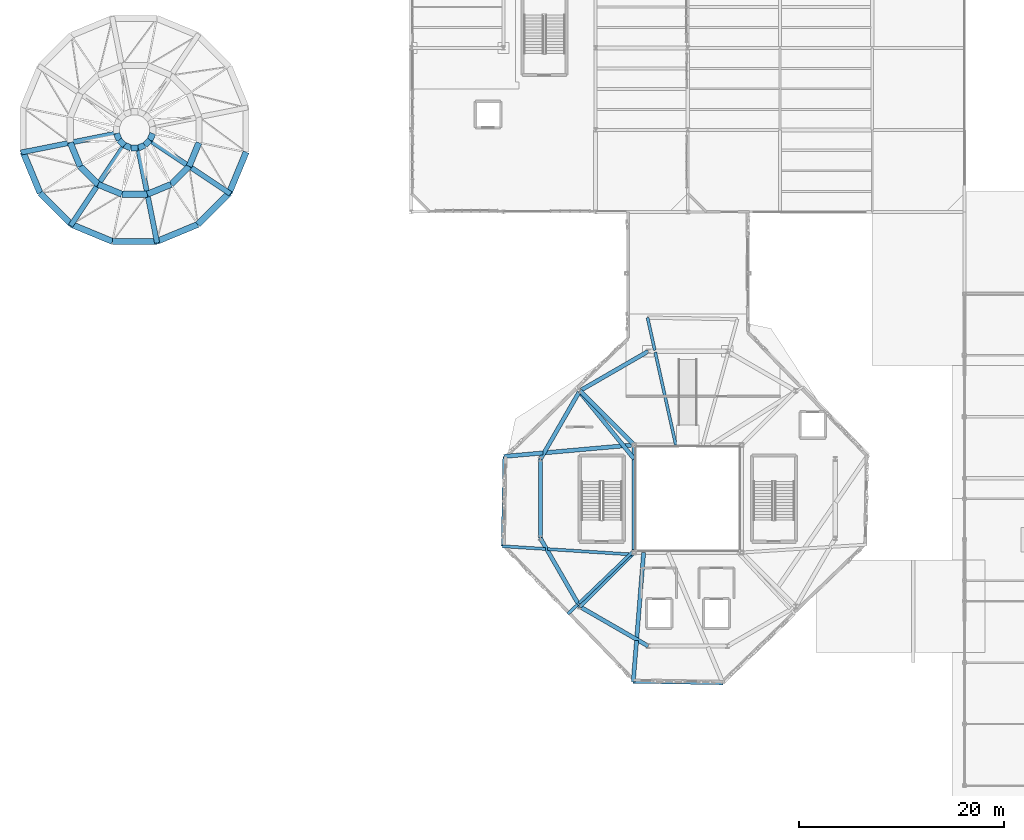
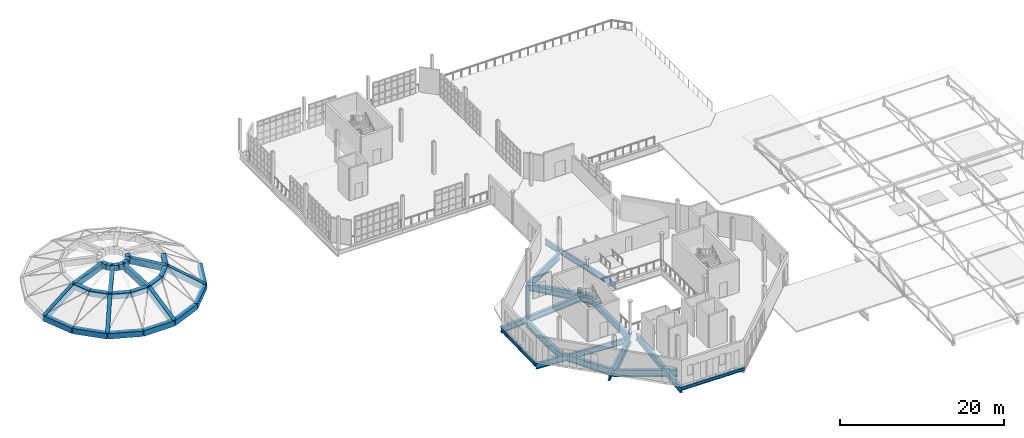
# One storey, part 6 of 85: 50 beams.
"""IFC4 building model written with IfcOpenShell, lengths in metres."""

from ifc_helpers import new_model, si_unit, direction, frame, origin, origin_2d, place, context, subcontext, project, spatial, rectangle, i_section, extrude, material, material_profile, profile_set, type_object, element, save


model = new_model("IFC4")

# Units and contexts
model_context = context("Model", 3, precision=1e-05, world=origin(), true_north=direction((0.0, 1.0)))
body_context = subcontext(model_context, "Body", "Model", "MODEL_VIEW")
ifc_project = project(units=[si_unit("LENGTHUNIT", "METRE"), si_unit("AREAUNIT", "SQUARE_METRE"), si_unit("VOLUMEUNIT", "CUBIC_METRE"), si_unit("PLANEANGLEUNIT", "RADIAN"), si_unit("MASSUNIT", "GRAM", prefix="KILO"), si_unit("THERMODYNAMICTEMPERATUREUNIT", "KELVIN"), si_unit("POWERUNIT", "WATT")], contexts=[model_context])

# Site, building, storey
site_placement = place(None, origin())
site = spatial("IfcSite", under=ifc_project, at=site_placement, CompositionType="ELEMENT")
building_placement = place(site_placement, origin())
building = spatial("IfcBuilding", under=site, at=building_placement, Name="Zelmaris Science Centre", CompositionType="ELEMENT")
storey_placement = place(building_placement, frame((0.0, 0.0, 20.39990234375)))
storey = spatial("IfcBuildingStorey", under=building, at=storey_placement, Name="L04", CompositionType="ELEMENT", Elevation=20.39990234375)

# Beams
ifc_material_1 = material(Name="Steel ASTM A992 Grade 50", Category="steel")
ifc_material_profile_1 = material_profile(ifc_material_1, i_section(OverallWidth=0.40087890625, OverallDepth=0.85595703125, WebThickness=0.018310546875, FlangeThickness=0.029296875, FilletRadius=0.02001953125, at=origin_2d()), Name="W33X201")
ifc_profile_set_1 = profile_set([ifc_material_profile_1], Name="Steel ASTM A992 Grade 50")
beam_type_1 = type_object("IfcBeamType", Name="Beam G-05 W33X201", PredefinedType="BEAM", material=ifc_profile_set_1)
beam_1_placement = place(storey_placement, frame((75.75, 39.89990234375, -0.7080078125), z_axis=(-0.63069879311, 0.776027726547, 0.0), x_axis=(-0.776027726547, -0.63069879311, 0.0)))
element("IfcBeam", 1, at=beam_1_placement, inside=storey, type_object=beam_type_1, Name="L04 Overhang back-span girder 8", PredefinedType="BEAM", context=body_context, shape_type="SweptSolid", body=[
    extrude(i_section(OverallWidth=0.40087890625, OverallDepth=0.85595703125, WebThickness=0.018310546875, FlangeThickness=0.029296875, FilletRadius=0.02001953125, at=origin_2d()), origin(), (0.0, 0.0, 1.0), 8.483642578125),
])
beam_2_placement = place(storey_placement, frame((76.688232421875, 30.75, -0.7080078125), z_axis=(-0.080042605202, -0.996791443258, 0.0), x_axis=(0.996791443258, -0.080042605202, 0.0)))
element("IfcBeam", 2, at=beam_2_placement, inside=storey, type_object=beam_type_1, Name="L04 Overhang back-span girder 12", PredefinedType="BEAM", context=body_context, shape_type="SweptSolid", body=[
    extrude(i_section(OverallWidth=0.40087890625, OverallDepth=0.85595703125, WebThickness=0.018310546875, FlangeThickness=0.029296875, FilletRadius=0.02001953125, at=origin_2d()), origin(), (0.0, 0.0, 1.0), 8.41845703125),
])
beam_3_placement = place(storey_placement, frame((75.999267578125, 22.169189453125, -0.7080078125), z_axis=(-0.080051426686, -0.996790734851, 0.0), x_axis=(0.996790734851, -0.080051426686, 0.0)))
element("IfcBeam", 3, at=beam_3_placement, inside=storey, type_object=beam_type_1, Name="L04 Radial overhang girder 12", PredefinedType="BEAM", context=body_context, shape_type="SweptSolid", body=[
    extrude(i_section(OverallWidth=0.40087890625, OverallDepth=0.85595703125, WebThickness=0.018310546875, FlangeThickness=0.029296875, FilletRadius=0.02001953125, at=origin_2d()), origin(), (0.0, 0.0, 1.0), 4.05615234375),
])
ifc_material_profile_2 = material_profile(ifc_material_1, i_section(OverallWidth=0.294921875, OverallDepth=0.85107421875, WebThickness=0.01611328125, FlangeThickness=0.02685546875, FilletRadius=0.02001953125, at=origin_2d()), Name="W33X152")
ifc_profile_set_2 = profile_set([ifc_material_profile_2], Name="Steel ASTM A992 Grade 50")
beam_type_2 = type_object("IfcBeamType", Name="Beam G-06 W33X152", PredefinedType="BEAM", material=ifc_profile_set_2)
beam_4_placement = place(storey_placement, frame((75.557861328125, 30.557861328125, -0.705322265625), z_axis=(-0.997991045809, 0.063355129903, 0.0), x_axis=(-0.063355129903, -0.997991045809, 0.0)))
element("IfcBeam", 4, at=beam_4_placement, inside=storey, type_object=beam_type_2, Name="L04 Overhang back-span girder 10", PredefinedType="BEAM", context=body_context, shape_type="SweptSolid", body=[
    extrude(i_section(OverallWidth=0.294921875, OverallDepth=0.85107421875, WebThickness=0.01611328125, FlangeThickness=0.02685546875, FilletRadius=0.02001953125, at=origin_2d()), origin(), (0.0, 0.0, 1.0), 8.261962890625),
])
beam_5_placement = place(storey_placement, frame((67.122802734375, 31.09326171875, -0.705322265625), z_axis=(-0.997990683892, 0.063360830675, 0.0), x_axis=(-0.063360830675, -0.997990683892, 0.0)))
element("IfcBeam", 5, at=beam_5_placement, inside=storey, type_object=beam_type_2, Name="L04 Radial overhang girder 10", PredefinedType="BEAM", context=body_context, shape_type="SweptSolid", body=[
    extrude(i_section(OverallWidth=0.294921875, OverallDepth=0.85107421875, WebThickness=0.01611328125, FlangeThickness=0.02685546875, FilletRadius=0.02001953125, at=origin_2d()), origin(), (0.0, 0.0, 1.0), 4.238525390625),
])
ifc_material_profile_3 = material_profile(ifc_material_1, i_section(OverallWidth=0.40087890625, OverallDepth=1.0009765625, WebThickness=0.01904296875, FlangeThickness=0.0361328125, FilletRadius=0.02490234375, at=origin_2d()), Name="W40X249")
ifc_profile_set_3 = profile_set([ifc_material_profile_3], Name="Steel ASTM A992 Grade 50")
beam_type_3 = type_object("IfcBeamType", Name="Beam G-22 W40X249", PredefinedType="BEAM", material=ifc_profile_set_3)
for number, where, z_axis, x_axis, name in (
    (6, (77.1435546875, 50.392333984375, -0.780517578125), (-0.866021648359, -0.500006504531, 0.0), (0.500006504531, -0.866021648359, 0.0), "L04 Exhibition inner ring girder 4"),
    (7, (70.464111328125, 46.535888671875, -0.780517578125), (-0.500006504531, -0.866021648359, 0.0), (0.866021648359, -0.500006504531, 0.0), "L04 Exhibition inner ring girder 5"),
    (8, (66.607666015625, 39.8564453125, -0.780517578125), (0.0, -1.0, 0.0), (1.0, 0.0, 0.0), "L04 Exhibition inner ring girder 6"),
    (9, (66.607666015625, 32.1435546875, -0.780517578125), (0.500006504531, -0.866021648359, 0.0), (0.866021648359, 0.500006504531, 0.0), "L04 Exhibition inner ring girder 7"),
    (10, (70.464111328125, 25.464111328125, -0.780517578125), (0.866021648359, -0.500006504531, 0.0), (0.500006504531, 0.866021648359, 0.0), "L04 Exhibition inner ring girder 8"),
):
    element("IfcBeam", number, at=place(storey_placement, frame(where, z_axis=z_axis, x_axis=x_axis)), inside=storey, type_object=beam_type_3, Name=name, PredefinedType="BEAM", context=body_context, shape_type="SweptSolid", body=[
        extrude(i_section(OverallWidth=0.40087890625, OverallDepth=1.0009765625, WebThickness=0.01904296875, FlangeThickness=0.0361328125, FilletRadius=0.02490234375, at=origin_2d()), origin(), (0.0, 0.0, 1.0), 7.712890625),
    ])
beam_6_placement = place(storey_placement, frame((75.75, 41.25, -0.780517578125), z_axis=(0.0, -1.0, 0.0), x_axis=(1.0, 0.0, 0.0)))
element("IfcBeam", 11, at=beam_6_placement, inside=storey, type_object=beam_type_3, Name="L04 Atrium framing girder 4", PredefinedType="BEAM", context=body_context, shape_type="SweptSolid", body=[
    extrude(i_section(OverallWidth=0.40087890625, OverallDepth=1.0009765625, WebThickness=0.01904296875, FlangeThickness=0.0361328125, FilletRadius=0.02490234375, at=origin_2d()), origin(), (0.0, 0.0, 1.0), 10.5),
])
for number, where, z_axis, x_axis, name in (
    (12, (75.75, 30.75, -0.780517578125), (-0.707106781187, -0.707106781187, 0.0), (0.707106781187, -0.707106781187, 0.0), "L04 Atrium diagonal header girder 1"),
    (13, (75.75, 41.25, -0.780517578125), (-0.707106781187, 0.707106781187, 0.0), (-0.707106781187, -0.707106781187, 0.0), "L04 Atrium diagonal header girder 4"),
):
    element("IfcBeam", number, at=place(storey_placement, frame(where, z_axis=z_axis, x_axis=x_axis)), inside=storey, type_object=beam_type_3, Name=name, PredefinedType="BEAM", context=body_context, shape_type="SweptSolid", body=[
        extrude(i_section(OverallWidth=0.40087890625, OverallDepth=1.0009765625, WebThickness=0.01904296875, FlangeThickness=0.0361328125, FilletRadius=0.02490234375, at=origin_2d()), origin(), (0.0, 0.0, 1.0), 7.475341796875),
    ])
ifc_material_profile_4 = material_profile(ifc_material_1, i_section(OverallWidth=0.404052734375, OverallDepth=0.861083984375, WebThickness=0.019775390625, FlangeThickness=0.032470703125, FilletRadius=0.02001953125, at=origin_2d()), Name="W33X221")
ifc_profile_set_4 = profile_set([ifc_material_profile_4], Name="Steel ASTM A992 Grade 50")
beam_type_4 = type_object("IfcBeamType", Name="Beam G-28 W33X221", PredefinedType="BEAM", material=ifc_profile_set_4)
beam_7_placement = place(storey_placement, frame((75.748779296875, 41.251220703125, -0.71044921875), z_axis=(-0.996118743316, -0.088019595632, 0.0), x_axis=(0.088019595632, -0.996118743316, 0.0)))
element("IfcBeam", 14, at=beam_7_placement, inside=storey, type_object=beam_type_4, Name="L04 Overhang back-span girder 9", PredefinedType="BEAM", context=body_context, shape_type="SweptSolid", body=[
    extrude(i_section(OverallWidth=0.404052734375, OverallDepth=0.861083984375, WebThickness=0.019775390625, FlangeThickness=0.032470703125, FilletRadius=0.02001953125, at=origin_2d()), origin(), (0.0, 0.0, 1.0), 8.723388671875),
])
beam_8_placement = place(storey_placement, frame((66.8701171875, 40.466552734375, -0.71044921875), z_axis=(-0.996119362395, -0.088012589221, 0.0), x_axis=(0.088012589221, -0.996119362395, 0.0)))
element("IfcBeam", 15, at=beam_8_placement, inside=storey, type_object=beam_type_4, Name="L04 Radial overhang girder 9", PredefinedType="BEAM", context=body_context, shape_type="SweptSolid", body=[
    extrude(i_section(OverallWidth=0.404052734375, OverallDepth=0.861083984375, WebThickness=0.019775390625, FlangeThickness=0.032470703125, FilletRadius=0.02001953125, at=origin_2d()), origin(), (0.0, 0.0, 1.0), 3.839111328125),
])
ifc_material_profile_5 = material_profile(ifc_material_1, i_section(OverallWidth=0.2919921875, OverallDepth=0.85888671875, WebThickness=0.01708984375, FlangeThickness=0.031005859375, FilletRadius=0.02001953125, at=origin_2d()), Name="W33X169")
ifc_profile_set_5 = profile_set([ifc_material_profile_5], Name="Steel ASTM A992 Grade 50")
beam_type_5 = type_object("IfcBeamType", Name="Beam G-29 W33X169", PredefinedType="BEAM", material=ifc_profile_set_5)
beam_9_placement = place(storey_placement, frame((79.83349609375, 41.25, -0.70947265625), z_axis=(-0.216877475538, 0.976198832515, 0.0), x_axis=(-0.976198832515, -0.216877475538, 0.0)))
element("IfcBeam", 16, at=beam_9_placement, inside=storey, type_object=beam_type_5, Name="L04 Overhang back-span girder 7", PredefinedType="BEAM", context=body_context, shape_type="SweptSolid", body=[
    extrude(i_section(OverallWidth=0.2919921875, OverallDepth=0.85888671875, WebThickness=0.01708984375, FlangeThickness=0.031005859375, FilletRadius=0.02001953125, at=origin_2d()), origin(), (0.0, 0.0, 1.0), 9.270263671875),
])
beam_10_placement = place(storey_placement, frame((77.78173828125, 50.485107421875, -0.70947265625), z_axis=(-0.216938370297, 0.976185301822, 0.0), x_axis=(-0.976185301822, -0.216938370297, 0.0)))
element("IfcBeam", 17, at=beam_10_placement, inside=storey, type_object=beam_type_5, Name="L04 Radial overhang girder 7", PredefinedType="BEAM", context=body_context, shape_type="SweptSolid", body=[
    extrude(i_section(OverallWidth=0.2919921875, OverallDepth=0.85888671875, WebThickness=0.01708984375, FlangeThickness=0.031005859375, FilletRadius=0.02001953125, at=origin_2d()), origin(), (0.0, 0.0, 1.0), 3.26708984375),
])
beam_11_placement = place(storey_placement, frame((75.75, 30.956298828125, -0.70947265625), z_axis=(-0.721125260376, -0.692804704695, 0.0), x_axis=(0.692804704695, -0.721125260376, 0.0)))
element("IfcBeam", 18, at=beam_11_placement, inside=storey, type_object=beam_type_5, Name="L04 Overhang back-span girder 11", PredefinedType="BEAM", context=body_context, shape_type="SweptSolid", body=[
    extrude(i_section(OverallWidth=0.2919921875, OverallDepth=0.85888671875, WebThickness=0.01708984375, FlangeThickness=0.031005859375, FilletRadius=0.02001953125, at=origin_2d()), origin(), (0.0, 0.0, 1.0), 7.4482421875),
])
beam_12_placement = place(storey_placement, frame((70.241943359375, 25.66455078125, -0.70947265625), z_axis=(-0.721111909302, -0.692818601268, 0.0), x_axis=(0.692818601268, -0.721111909302, 0.0)))
element("IfcBeam", 19, at=beam_12_placement, inside=storey, type_object=beam_type_5, Name="L04 Radial overhang girder 11", PredefinedType="BEAM", context=body_context, shape_type="SweptSolid", body=[
    extrude(i_section(OverallWidth=0.2919921875, OverallDepth=0.85888671875, WebThickness=0.01708984375, FlangeThickness=0.031005859375, FilletRadius=0.02001953125, at=origin_2d()), origin(), (0.0, 0.0, 1.0), 1.328857421875),
])
ifc_material_profile_6 = material_profile(ifc_material_1, i_section(OverallWidth=0.2109375, OverallDepth=0.5380859375, WebThickness=0.01171875, FlangeThickness=0.018798828125, FilletRadius=0.013916015625, at=origin_2d()), Name="W21X73")
ifc_profile_set_6 = profile_set([ifc_material_profile_6], Name="Steel ASTM A992 Grade 50")
beam_type_6 = type_object("IfcBeamType", Name="Beam SP-02 W21X73", PredefinedType="SPANDREL", material=ifc_profile_set_6)
beam_13_placement = place(storey_placement, frame((63.0458984375, 40.128662109375, -0.548828125), z_axis=(-0.017458142585, -0.999847595015, 0.0), x_axis=(0.999847595015, -0.017458142585, 0.0)))
element("IfcBeam", 20, at=beam_13_placement, inside=storey, type_object=beam_type_6, Name="L04 Rotated facade spandrel beam 4", PredefinedType="SPANDREL", context=body_context, shape_type="SweptSolid", body=[
    extrude(i_section(OverallWidth=0.2109375, OverallDepth=0.5380859375, WebThickness=0.01171875, FlangeThickness=0.018798828125, FilletRadius=0.013916015625, at=origin_2d()), origin(), (0.0, 0.0, 1.0), 8.76806640625),
])
ifc_material_profile_7 = material_profile(ifc_material_1, i_section(OverallWidth=0.279052734375, OverallDepth=0.4619140625, WebThickness=0.0107421875, FlangeThickness=0.017333984375, FilletRadius=0.012939453125, at=origin_2d()), Name="W18X76")
ifc_profile_set_7 = profile_set([ifc_material_profile_7], Name="Steel ASTM A992 Grade 50")
beam_type_7 = type_object("IfcBeamType", Name="Beam SP-03 W18X76", PredefinedType="SPANDREL", material=ifc_profile_set_7)
beam_14_placement = place(storey_placement, frame((75.674560546875, 18.1259765625, -0.510986328125), z_axis=(0.999847595015, -0.017458142585, 0.0), x_axis=(0.017458142585, 0.999847595015, 0.0)))
element("IfcBeam", 21, at=beam_14_placement, inside=storey, type_object=beam_type_7, Name="L04 Rotated facade spandrel beam 5", PredefinedType="SPANDREL", context=body_context, shape_type="SweptSolid", body=[
    extrude(i_section(OverallWidth=0.279052734375, OverallDepth=0.4619140625, WebThickness=0.0107421875, FlangeThickness=0.017333984375, FilletRadius=0.012939453125, at=origin_2d()), origin(), (0.0, 0.0, 1.0), 8.76806640625),
])
ifc_material_2 = material(Name="Concrete C40/50", Category="concrete")
ifc_material_profile_8 = material_profile(ifc_material_2, rectangle(XDim=0.60009765625, YDim=0.800048828125, at=origin_2d()), Name="RC-COLLAR-600X800")
ifc_profile_set_8 = profile_set([ifc_material_profile_8], Name="Concrete C40/50")
beam_type_8 = type_object("IfcBeamType", Name="Beam SP-05 RC-COLLAR-600X800", PredefinedType="SPANDREL", material=ifc_profile_set_8)
beam_15_placement = place(storey_placement, frame((16.11328125, 69.83447265625, -0.449951171875), z_axis=(0.382705273365, -0.92387048537, 0.0), x_axis=(0.92387048537, 0.382705273365, 0.0)))
element("IfcBeam", 22, at=beam_15_placement, inside=storey, type_object=beam_type_8, Name="Planetarium dome collar ring 1 segment 9", PredefinedType="SPANDREL", context=body_context, shape_type="SweptSolid", body=[
    extrude(rectangle(XDim=0.60009765625, YDim=0.800048828125, at=origin_2d()), origin(), (0.0, 0.0, 1.0), 4.330810546875),
])
beam_16_placement = place(storey_placement, frame((17.770751953125, 65.833251953125, -0.449951171875), z_axis=(0.707106781187, -0.707106781187, 0.0), x_axis=(0.707106781187, 0.707106781187, 0.0)))
element("IfcBeam", 23, at=beam_16_placement, inside=storey, type_object=beam_type_8, Name="Planetarium dome collar ring 1 segment 10", PredefinedType="SPANDREL", context=body_context, shape_type="SweptSolid", body=[
    extrude(rectangle(XDim=0.60009765625, YDim=0.800048828125, at=origin_2d()), origin(), (0.0, 0.0, 1.0), 4.3310546875),
])
beam_17_placement = place(storey_placement, frame((20.833251953125, 62.770751953125, -0.449951171875), z_axis=(0.92387048537, -0.382705273365, 0.0), x_axis=(0.382705273365, 0.92387048537, 0.0)))
element("IfcBeam", 24, at=beam_17_placement, inside=storey, type_object=beam_type_8, Name="Planetarium dome collar ring 1 segment 11", PredefinedType="SPANDREL", context=body_context, shape_type="SweptSolid", body=[
    extrude(rectangle(XDim=0.60009765625, YDim=0.800048828125, at=origin_2d()), origin(), (0.0, 0.0, 1.0), 4.330810546875),
])
beam_18_placement = place(storey_placement, frame((24.83447265625, 61.11328125, -0.449951171875), z_axis=(1.0, 0.0, 0.0), x_axis=(0.0, 1.0, 0.0)))
element("IfcBeam", 25, at=beam_18_placement, inside=storey, type_object=beam_type_8, Name="Planetarium dome collar ring 1 segment 12", PredefinedType="SPANDREL", context=body_context, shape_type="SweptSolid", body=[
    extrude(rectangle(XDim=0.60009765625, YDim=0.800048828125, at=origin_2d()), origin(), (0.0, 0.0, 1.0), 4.3310546875),
])
beam_19_placement = place(storey_placement, frame((29.16552734375, 61.11328125, -0.449951171875), z_axis=(0.92387048537, 0.382705273365, 0.0), x_axis=(-0.382705273365, 0.92387048537, 0.0)))
element("IfcBeam", 26, at=beam_19_placement, inside=storey, type_object=beam_type_8, Name="Planetarium dome collar ring 1 segment 13", PredefinedType="SPANDREL", context=body_context, shape_type="SweptSolid", body=[
    extrude(rectangle(XDim=0.60009765625, YDim=0.800048828125, at=origin_2d()), origin(), (0.0, 0.0, 1.0), 4.330810546875),
])
beam_20_placement = place(storey_placement, frame((33.166748046875, 62.770751953125, -0.449951171875), z_axis=(0.707106781187, 0.707106781187, 0.0), x_axis=(-0.707106781187, 0.707106781187, 0.0)))
element("IfcBeam", 27, at=beam_20_placement, inside=storey, type_object=beam_type_8, Name="Planetarium dome collar ring 1 segment 14", PredefinedType="SPANDREL", context=body_context, shape_type="SweptSolid", body=[
    extrude(rectangle(XDim=0.60009765625, YDim=0.800048828125, at=origin_2d()), origin(), (0.0, 0.0, 1.0), 4.3310546875),
])
beam_21_placement = place(storey_placement, frame((36.229248046875, 65.833251953125, -0.449951171875), z_axis=(0.382705273365, 0.92387048537, 0.0), x_axis=(-0.92387048537, 0.382705273365, 0.0)))
element("IfcBeam", 28, at=beam_21_placement, inside=storey, type_object=beam_type_8, Name="Planetarium dome collar ring 1 segment 15", PredefinedType="SPANDREL", context=body_context, shape_type="SweptSolid", body=[
    extrude(rectangle(XDim=0.60009765625, YDim=0.800048828125, at=origin_2d()), origin(), (0.0, 0.0, 1.0), 4.330810546875),
])
beam_22_placement = place(storey_placement, frame((20.722900390625, 70.75146484375, 2.150146484375), z_axis=(0.38274032778, -0.923855963606, 0.0), x_axis=(0.923855963606, 0.38274032778, 0.0)))
element("IfcBeam", 29, at=beam_22_placement, inside=storey, type_object=beam_type_8, Name="Planetarium dome collar ring 2 segment 9", PredefinedType="SPANDREL", context=body_context, shape_type="SweptSolid", body=[
    extrude(rectangle(XDim=0.60009765625, YDim=0.800048828125, at=origin_2d()), origin(), (0.0, 0.0, 1.0), 2.497314453125),
])
beam_23_placement = place(storey_placement, frame((21.6787109375, 68.4443359375, 2.150146484375), z_axis=(0.707106781187, -0.707106781187, 0.0), x_axis=(0.707106781187, 0.707106781187, 0.0)))
element("IfcBeam", 30, at=beam_23_placement, inside=storey, type_object=beam_type_8, Name="Planetarium dome collar ring 2 segment 10", PredefinedType="SPANDREL", context=body_context, shape_type="SweptSolid", body=[
    extrude(rectangle(XDim=0.60009765625, YDim=0.800048828125, at=origin_2d()), origin(), (0.0, 0.0, 1.0), 2.4970703125),
])
beam_24_placement = place(storey_placement, frame((23.4443359375, 66.6787109375, 2.150146484375), z_axis=(0.923855963606, -0.38274032778, 0.0), x_axis=(0.38274032778, 0.923855963606, 0.0)))
element("IfcBeam", 31, at=beam_24_placement, inside=storey, type_object=beam_type_8, Name="Planetarium dome collar ring 2 segment 11", PredefinedType="SPANDREL", context=body_context, shape_type="SweptSolid", body=[
    extrude(rectangle(XDim=0.60009765625, YDim=0.800048828125, at=origin_2d()), origin(), (0.0, 0.0, 1.0), 2.497314453125),
])
beam_25_placement = place(storey_placement, frame((25.75146484375, 65.722900390625, 2.150146484375), z_axis=(1.0, 0.0, 0.0), x_axis=(0.0, 1.0, 0.0)))
element("IfcBeam", 32, at=beam_25_placement, inside=storey, type_object=beam_type_8, Name="Planetarium dome collar ring 2 segment 12", PredefinedType="SPANDREL", context=body_context, shape_type="SweptSolid", body=[
    extrude(rectangle(XDim=0.60009765625, YDim=0.800048828125, at=origin_2d()), origin(), (0.0, 0.0, 1.0), 2.4970703125),
])
beam_26_placement = place(storey_placement, frame((28.24853515625, 65.722900390625, 2.150146484375), z_axis=(0.923855963606, 0.38274032778, 0.0), x_axis=(-0.38274032778, 0.923855963606, 0.0)))
element("IfcBeam", 33, at=beam_26_placement, inside=storey, type_object=beam_type_8, Name="Planetarium dome collar ring 2 segment 13", PredefinedType="SPANDREL", context=body_context, shape_type="SweptSolid", body=[
    extrude(rectangle(XDim=0.60009765625, YDim=0.800048828125, at=origin_2d()), origin(), (0.0, 0.0, 1.0), 2.497314453125),
])
beam_27_placement = place(storey_placement, frame((30.5556640625, 66.6787109375, 2.150146484375), z_axis=(0.707106781187, 0.707106781187, 0.0), x_axis=(-0.707106781187, 0.707106781187, 0.0)))
element("IfcBeam", 34, at=beam_27_placement, inside=storey, type_object=beam_type_8, Name="Planetarium dome collar ring 2 segment 14", PredefinedType="SPANDREL", context=body_context, shape_type="SweptSolid", body=[
    extrude(rectangle(XDim=0.60009765625, YDim=0.800048828125, at=origin_2d()), origin(), (0.0, 0.0, 1.0), 2.4970703125),
])
beam_28_placement = place(storey_placement, frame((32.3212890625, 68.4443359375, 2.150146484375), z_axis=(0.38274032778, 0.923855963606, 0.0), x_axis=(-0.923855963606, 0.38274032778, 0.0)))
element("IfcBeam", 35, at=beam_28_placement, inside=storey, type_object=beam_type_8, Name="Planetarium dome collar ring 2 segment 15", PredefinedType="SPANDREL", context=body_context, shape_type="SweptSolid", body=[
    extrude(rectangle(XDim=0.60009765625, YDim=0.800048828125, at=origin_2d()), origin(), (0.0, 0.0, 1.0), 2.497314453125),
])
beam_29_placement = place(storey_placement, frame((25.234619140625, 71.648681640625, 3.150146484375), z_axis=(0.382812397207, -0.923826102979, 0.0), x_axis=(0.923826102979, 0.382812397207, 0.0)))
element("IfcBeam", 36, at=beam_29_placement, inside=storey, type_object=beam_type_8, Name="Planetarium dome collar ring 3 segment 9", PredefinedType="SPANDREL", context=body_context, shape_type="SweptSolid", body=[
    extrude(rectangle(XDim=0.60009765625, YDim=0.800048828125, at=origin_2d()), origin(), (0.0, 0.0, 1.0), 0.7021484375),
])
beam_30_placement = place(storey_placement, frame((25.50341796875, 71.0, 3.150146484375), z_axis=(0.707106781187, -0.707106781187, 0.0), x_axis=(0.707106781187, 0.707106781187, 0.0)))
element("IfcBeam", 37, at=beam_30_placement, inside=storey, type_object=beam_type_8, Name="Planetarium dome collar ring 3 segment 10", PredefinedType="SPANDREL", context=body_context, shape_type="SweptSolid", body=[
    extrude(rectangle(XDim=0.60009765625, YDim=0.800048828125, at=origin_2d()), origin(), (0.0, 0.0, 1.0), 0.702392578125),
])
beam_31_placement = place(storey_placement, frame((26.0, 70.50341796875, 3.150146484375), z_axis=(0.923826102979, -0.382812397207, 0.0), x_axis=(0.382812397207, 0.923826102979, 0.0)))
element("IfcBeam", 38, at=beam_31_placement, inside=storey, type_object=beam_type_8, Name="Planetarium dome collar ring 3 segment 11", PredefinedType="SPANDREL", context=body_context, shape_type="SweptSolid", body=[
    extrude(rectangle(XDim=0.60009765625, YDim=0.800048828125, at=origin_2d()), origin(), (0.0, 0.0, 1.0), 0.7021484375),
])
beam_32_placement = place(storey_placement, frame((26.648681640625, 70.234619140625, 3.150146484375), z_axis=(1.0, 0.0, 0.0), x_axis=(0.0, 1.0, 0.0)))
element("IfcBeam", 39, at=beam_32_placement, inside=storey, type_object=beam_type_8, Name="Planetarium dome collar ring 3 segment 12", PredefinedType="SPANDREL", context=body_context, shape_type="SweptSolid", body=[
    extrude(rectangle(XDim=0.60009765625, YDim=0.800048828125, at=origin_2d()), origin(), (0.0, 0.0, 1.0), 0.70263671875),
])
beam_33_placement = place(storey_placement, frame((27.351318359375, 70.234619140625, 3.150146484375), z_axis=(0.923826102979, 0.382812397207, 0.0), x_axis=(-0.382812397207, 0.923826102979, 0.0)))
element("IfcBeam", 40, at=beam_33_placement, inside=storey, type_object=beam_type_8, Name="Planetarium dome collar ring 3 segment 13", PredefinedType="SPANDREL", context=body_context, shape_type="SweptSolid", body=[
    extrude(rectangle(XDim=0.60009765625, YDim=0.800048828125, at=origin_2d()), origin(), (0.0, 0.0, 1.0), 0.7021484375),
])
beam_34_placement = place(storey_placement, frame((28.0, 70.50341796875, 3.150146484375), z_axis=(0.707106781187, 0.707106781187, 0.0), x_axis=(-0.707106781187, 0.707106781187, 0.0)))
element("IfcBeam", 41, at=beam_34_placement, inside=storey, type_object=beam_type_8, Name="Planetarium dome collar ring 3 segment 14", PredefinedType="SPANDREL", context=body_context, shape_type="SweptSolid", body=[
    extrude(rectangle(XDim=0.60009765625, YDim=0.800048828125, at=origin_2d()), origin(), (0.0, 0.0, 1.0), 0.702392578125),
])
beam_35_placement = place(storey_placement, frame((28.49658203125, 71.0, 3.150146484375), z_axis=(0.382812397207, 0.923826102979, 0.0), x_axis=(-0.923826102979, 0.382812397207, 0.0)))
element("IfcBeam", 42, at=beam_35_placement, inside=storey, type_object=beam_type_8, Name="Planetarium dome collar ring 3 segment 15", PredefinedType="SPANDREL", context=body_context, shape_type="SweptSolid", body=[
    extrude(rectangle(XDim=0.60009765625, YDim=0.800048828125, at=origin_2d()), origin(), (0.0, 0.0, 1.0), 0.7021484375),
])
ifc_material_profile_9 = material_profile(ifc_material_2, rectangle(XDim=0.5, YDim=0.89990234375, at=origin_2d()), Name="RC-RIB-500X900")
ifc_profile_set_9 = profile_set([ifc_material_profile_9], Name="Concrete C40/50")
beam_type_9 = type_object("IfcBeamType", Name="Dome Rib RC-RIB-500X900", PredefinedType="BEAM", material=ifc_profile_set_9)
beam_36_placement = place(storey_placement, frame((16.11328125, 69.83447265625, -0.47998046875), z_axis=(0.858207593579, 0.170723357952, 0.484079808888), x_axis=(-0.195107090954, 0.980781944705, 0.0)))
element("IfcBeam", 43, at=beam_36_placement, inside=storey, type_object=beam_type_9, Name="Planetarium dome meridional rib 5 segment 2", PredefinedType="BEAM", context=body_context, shape_type="SweptSolid", body=[
    extrude(rectangle(XDim=0.5, YDim=0.89990234375, at=origin_2d()), origin(), (0.0, 0.0, 1.0), 5.371337890625),
])
beam_37_placement = place(storey_placement, frame((20.722900390625, 70.75146484375, 2.1201171875), z_axis=(0.958409746822, 0.190592847379, 0.212426749079), x_axis=(-0.195044345786, 0.980794424524, 0.0)))
element("IfcBeam", 44, at=beam_37_placement, inside=storey, type_object=beam_type_9, Name="Planetarium dome meridional rib 5 segment 3", PredefinedType="BEAM", context=body_context, shape_type="SweptSolid", body=[
    extrude(rectangle(XDim=0.5, YDim=0.89990234375, at=origin_2d()), origin(), (0.0, 0.0, 1.0), 4.70751953125),
])
beam_38_placement = place(storey_placement, frame((20.833251953125, 62.770751953125, -0.47998046875), z_axis=(0.486121512048, 0.727568681005, 0.484076119991), x_axis=(-0.831482460604, 0.555551003696, 0.0)))
element("IfcBeam", 45, at=beam_38_placement, inside=storey, type_object=beam_type_9, Name="Planetarium dome meridional rib 6 segment 2", PredefinedType="BEAM", context=body_context, shape_type="SweptSolid", body=[
    extrude(rectangle(XDim=0.5, YDim=0.89990234375, at=origin_2d()), origin(), (0.0, 0.0, 1.0), 5.371337890625),
])
beam_39_placement = place(storey_placement, frame((23.4443359375, 66.6787109375, 2.1201171875), z_axis=(0.542901224977, 0.812484771731, 0.212430590132), x_axis=(-0.831461927124, 0.555581734529, 0.0)))
element("IfcBeam", 46, at=beam_39_placement, inside=storey, type_object=beam_type_9, Name="Planetarium dome meridional rib 6 segment 3", PredefinedType="BEAM", context=body_context, shape_type="SweptSolid", body=[
    extrude(rectangle(XDim=0.5, YDim=0.89990234375, at=origin_2d()), origin(), (0.0, 0.0, 1.0), 4.70751953125),
])
beam_40_placement = place(storey_placement, frame((29.16552734375, 61.11328125, -0.47998046875), z_axis=(-0.170723357952, 0.858207593579, 0.484079808888), x_axis=(-0.980781944705, -0.195107090954, 0.0)))
element("IfcBeam", 47, at=beam_40_placement, inside=storey, type_object=beam_type_9, Name="Planetarium dome meridional rib 7 segment 2", PredefinedType="BEAM", context=body_context, shape_type="SweptSolid", body=[
    extrude(rectangle(XDim=0.5, YDim=0.89990234375, at=origin_2d()), origin(), (0.0, 0.0, 1.0), 5.371337890625),
])
beam_41_placement = place(storey_placement, frame((28.24853515625, 65.722900390625, 2.1201171875), z_axis=(-0.190592847379, 0.958409746822, 0.212426749079), x_axis=(-0.980794424524, -0.195044345786, 0.0)))
element("IfcBeam", 48, at=beam_41_placement, inside=storey, type_object=beam_type_9, Name="Planetarium dome meridional rib 7 segment 3", PredefinedType="BEAM", context=body_context, shape_type="SweptSolid", body=[
    extrude(rectangle(XDim=0.5, YDim=0.89990234375, at=origin_2d()), origin(), (0.0, 0.0, 1.0), 4.70751953125),
])
beam_42_placement = place(storey_placement, frame((36.229248046875, 65.833251953125, -0.47998046875), z_axis=(-0.727568681005, 0.486121512048, 0.484076119991), x_axis=(-0.555551003696, -0.831482460604, 0.0)))
element("IfcBeam", 49, at=beam_42_placement, inside=storey, type_object=beam_type_9, Name="Planetarium dome meridional rib 8 segment 2", PredefinedType="BEAM", context=body_context, shape_type="SweptSolid", body=[
    extrude(rectangle(XDim=0.5, YDim=0.89990234375, at=origin_2d()), origin(), (0.0, 0.0, 1.0), 5.371337890625),
])
beam_43_placement = place(storey_placement, frame((32.3212890625, 68.4443359375, 2.1201171875), z_axis=(-0.812484771731, 0.542901224977, 0.212430590132), x_axis=(-0.555581734529, -0.831461927124, 0.0)))
element("IfcBeam", 50, at=beam_43_placement, inside=storey, type_object=beam_type_9, Name="Planetarium dome meridional rib 8 segment 3", PredefinedType="BEAM", context=body_context, shape_type="SweptSolid", body=[
    extrude(rectangle(XDim=0.5, YDim=0.89990234375, at=origin_2d()), origin(), (0.0, 0.0, 1.0), 4.70751953125),
])

save(model, "model.ifc")
